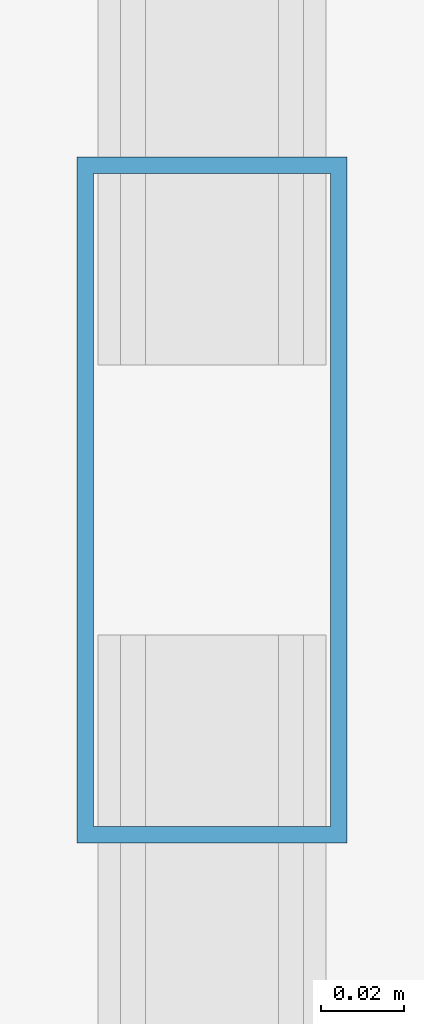
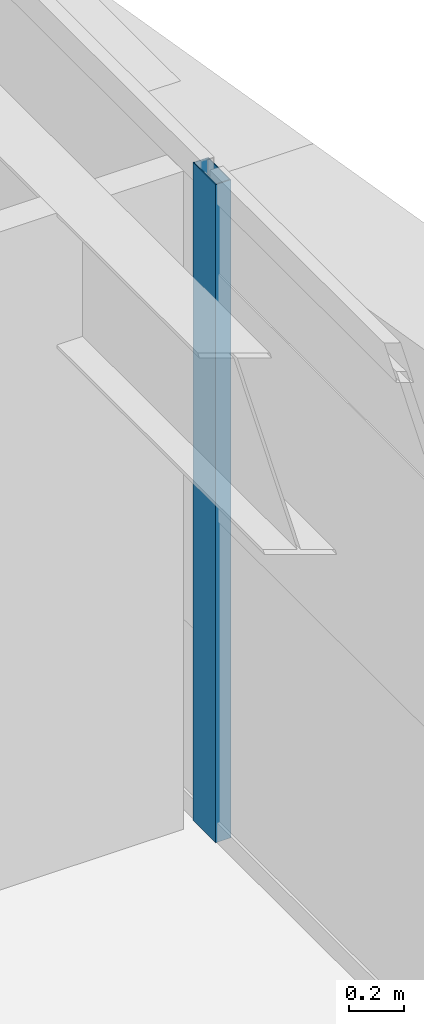
# One storey, part 26 of 58: 1 member, 1 element without a shape of its own.
"""IFC4 building model written with IfcOpenShell, lengths in metres."""

from ifc_helpers import new_model, si_unit, direction, frame, origin, origin_2d, place, context, subcontext, project, spatial, hollow_rectangle, extrude, source, transform, mapped, material, layer, layer_set, material_profile, profile_set, type_object, element, aggregate, save


model = new_model("IFC4")

# Units and contexts
model_context = context("Model", 3, precision=1e-05, world=origin(), true_north=direction((0.0, 1.0)))
body_context = subcontext(model_context, "Body", "Model", "MODEL_VIEW")
ifc_project = project(units=[si_unit("LENGTHUNIT", "METRE"), si_unit("AREAUNIT", "SQUARE_METRE"), si_unit("VOLUMEUNIT", "CUBIC_METRE"), si_unit("PLANEANGLEUNIT", "RADIAN"), si_unit("MASSUNIT", "GRAM", prefix="KILO")], contexts=[model_context])

# Site, building, storey
site_placement = place(None, origin())
site = spatial("IfcSite", under=ifc_project, at=site_placement, CompositionType="ELEMENT")
building_placement = place(site_placement, origin())
building = spatial("IfcBuilding", under=site, at=building_placement, Name="Taldren Reach Tower", CompositionType="ELEMENT")
storey_placement = place(building_placement, frame((0.0, 0.0, 51.449951171875)))
storey = spatial("IfcBuildingStorey", under=building, at=storey_placement, Name="L15", CompositionType="ELEMENT", Elevation=51.449951171875)

# Curtain wall, member
ifc_material_1 = material(Name="Aluminium and Low-E Glass Unitised System", Category="aluminium")
ifc_layer = layer(ifc_material_1, 0.159912109375)
ifc_layer_set = layer_set([ifc_layer], Name="Aluminium and Low-E Glass Unitised System")
curtain_wall_type = type_object("IfcCurtainWallType", Name="CW-SYS-2", PredefinedType="NOTDEFINED", material=ifc_layer_set)
curtain_wall_placement = place(storey_placement, origin())
curtain_wall = element("IfcCurtainWall", 1, at=curtain_wall_placement, inside=storey, type_object=curtain_wall_type, Name="Unitised curtain wall CW-L15-E", PredefinedType="NOTDEFINED")
ifc_material_2 = material(Name="Anodised Aluminium 6063-T6", Category="aluminium")
ifc_material_profile = material_profile(ifc_material_2, hollow_rectangle(XDim=0.06494140625, YDim=0.1650390625, WallThickness=0.00390625, at=origin_2d()), Name="ALU-165x65x4RHS")
ifc_profile_set = profile_set([ifc_material_profile], Name="Anodised Aluminium 6063-T6")
member_type = type_object("IfcMemberType", Name="CW-MUL-165", PredefinedType="MULLION", material=ifc_profile_set)
shared_shape = source(origin(), body_context, "Body", "SweptSolid", [
    extrude(hollow_rectangle(XDim=0.06494140625, YDim=0.1650390625, WallThickness=0.00390625, at=origin_2d()), origin(), (0.0, 0.0, 1.0), 2.929931640625),
])
member_placement = place(storey_placement, frame((64.860107421875, 11.388916015625, 0.0), z_axis=(0.0, 0.0, 1.0), x_axis=(-1.0, 0.0, 0.0)))
member = element("IfcMember", 2, at=member_placement, type_object=member_type, Name="CW-2 mullion 3", PredefinedType="MULLION", context=body_context, shape_type="MappedRepresentation", body=[
    mapped(shared_shape, transform((0.0, 0.0, 0.0), scale=1.0)),
])
aggregate(curtain_wall, [member])

save(model, "model.ifc")
